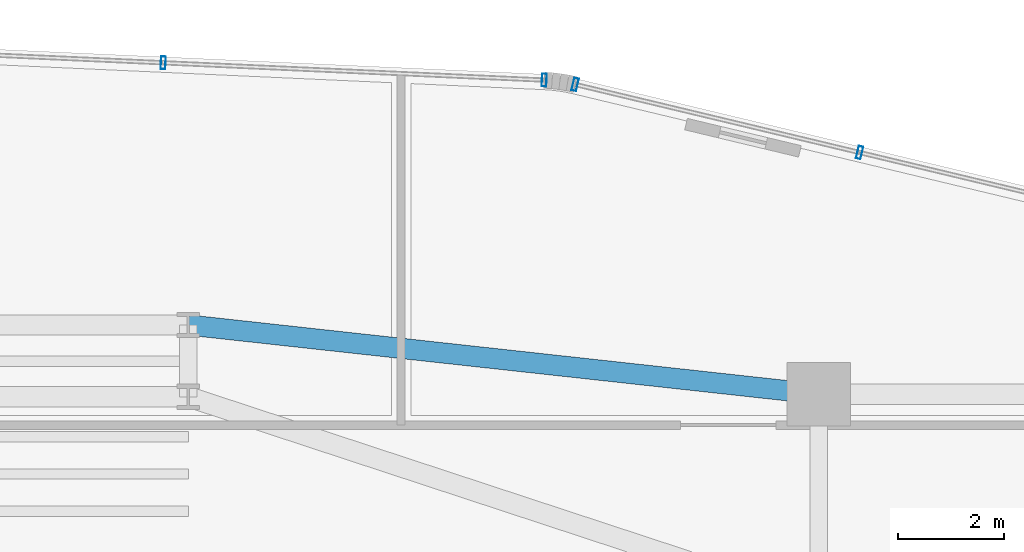
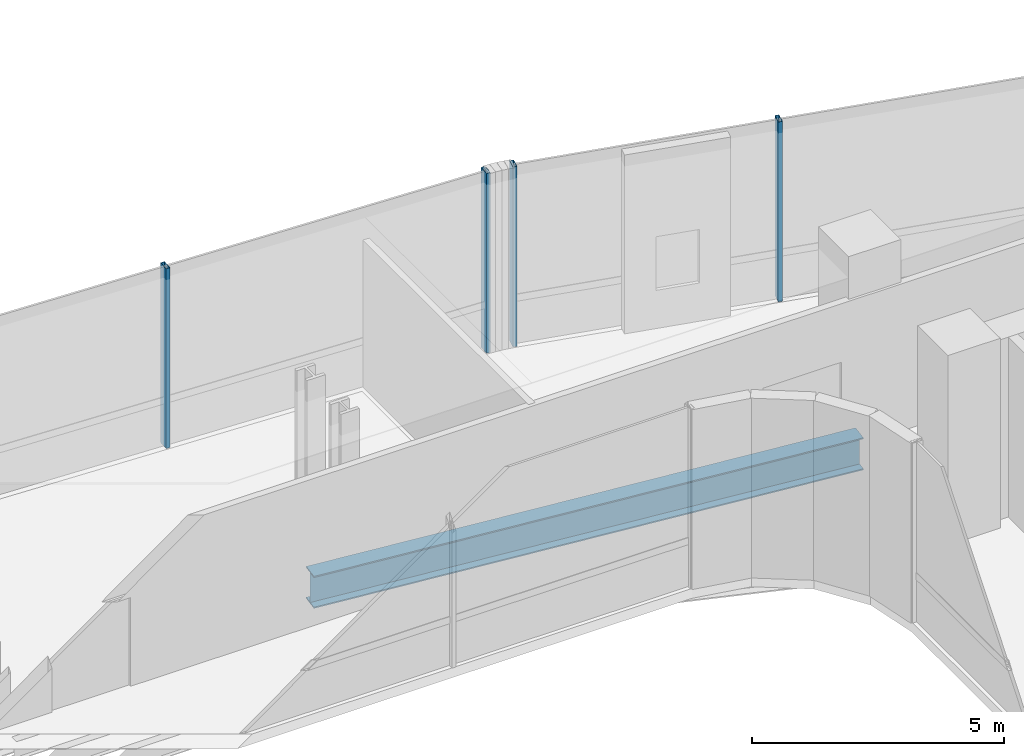
# One storey, part 21 of 32: 4 members, 1 beam, 2 elements without a shape of their own.
"""IFC4 building model written with IfcOpenShell, lengths in metres."""

from ifc_helpers import new_model, si_unit, direction, frame, origin, origin_2d, place, context, subcontext, project, spatial, hollow_rectangle, i_section, extrude, source, transform, mapped, material, material_profile, profile_set, type_object, element, aggregate, save


model = new_model("IFC4")

# Units and contexts
model_context = context("Model", 3, precision=1e-05, world=origin(), true_north=direction((0.0, 1.0)))
body_context = subcontext(model_context, "Body", "Model", "MODEL_VIEW")
ifc_project = project(units=[si_unit("LENGTHUNIT", "METRE"), si_unit("AREAUNIT", "SQUARE_METRE"), si_unit("VOLUMEUNIT", "CUBIC_METRE"), si_unit("PLANEANGLEUNIT", "RADIAN"), si_unit("MASSUNIT", "GRAM", prefix="KILO")], contexts=[model_context])

# Site, building, storey
site_placement = place(None, origin())
site = spatial("IfcSite", under=ifc_project, at=site_placement, CompositionType="ELEMENT")
building_placement = place(site_placement, origin())
building = spatial("IfcBuilding", under=site, at=building_placement, Name="Valdorenza Pilgrim Sanctuary Tower", CompositionType="ELEMENT")
storey_placement = place(building_placement, frame((0.0, 0.0, 101.10009765625)))
storey = spatial("IfcBuildingStorey", under=building, at=storey_placement, Name="L25", CompositionType="ELEMENT", Elevation=101.10009765625)

# Beam
ifc_material_1 = material(Name="Steel ASTM A992 Grade 50", Category="steel")
ifc_material_profile_1 = material_profile(ifc_material_1, i_section(OverallWidth=0.382080078125, OverallDepth=0.779052734375, WebThickness=0.01806640625, FlangeThickness=0.030029296875, at=origin_2d()), Name="W30X191")
ifc_profile_set_1 = profile_set([ifc_material_profile_1], Name="Steel ASTM A992 Grade 50")
beam_type = type_object("IfcBeamType", Name="STR-BM-GRD-W30", PredefinedType="BEAM", material=ifc_profile_set_1)
shared_shape_1 = source(origin(), body_context, "Body", "SweptSolid", [
    extrude(i_section(OverallWidth=0.382080078125, OverallDepth=0.779052734375, WebThickness=0.01806640625, FlangeThickness=0.030029296875, at=origin_2d()), origin(), (0.0, 0.0, 1.0), 11.921142578125),
])
beam_placement = place(storey_placement, frame((4.0, 14.800048828125, -0.629638671875), z_axis=(0.994035876607, -0.10905354656, 0.0), x_axis=(0.10905354656, 0.994035876607, 0.0)))
element("IfcBeam", 1, at=beam_placement, inside=storey, type_object=beam_type, Name="L25 Floor Girder KNK-G6", PredefinedType="BEAM", context=body_context, shape_type="MappedRepresentation", body=[
    mapped(shared_shape_1, transform((0.0, 0.0, 0.0), x_axis=(1.0, 0.0, 0.0), y_axis=(0.0, 1.0, 0.0), z_axis=(0.0, 0.0, 1.0), scale=1.0)),
])

# Curtain wall, members
ifc_material_2 = material(Name="Curtain-wall IGU glazing", Category="glass")
curtain_wall_type = type_object("IfcCurtainWallType", Name="CW-SYS-04", PredefinedType="NOTDEFINED", material=ifc_material_2)
curtain_wall_1_placement = place(storey_placement, origin())
curtain_wall_1 = element("IfcCurtainWall", 2, at=curtain_wall_1_placement, inside=storey, type_object=curtain_wall_type, Name="L25 Curtain Wall CW-L25-1-11", PredefinedType="NOTDEFINED")
ifc_material_3 = material(Name="Anodised aluminium AW-6060", Category="aluminium")
ifc_material_profile_2 = material_profile(ifc_material_3, hollow_rectangle(XDim=0.090087890625, YDim=0.239990234375, WallThickness=0.0048828125, at=origin_2d()), Name="ALU-M 240x90x5")
ifc_profile_set_2 = profile_set([ifc_material_profile_2], Name="Anodised aluminium AW-6060")
member_type = type_object("IfcMemberType", Name="CW-MUL-04", PredefinedType="MULLION", material=ifc_profile_set_2)
shared_shape_2 = source(origin(), body_context, "Body", "SweptSolid", [
    extrude(hollow_rectangle(XDim=0.090087890625, YDim=0.239990234375, WallThickness=0.0048828125, at=origin_2d()), origin(), (0.0, 0.0, 1.0), 4.35986328125),
])
member_1_placement = place(storey_placement, frame((3.528076171875, 19.7294921875, 0.0), z_axis=(0.0, 0.0, 1.0), x_axis=(0.998968193221, -0.045415294044, 0.0)))
member_1 = element("IfcMember", 3, at=member_1_placement, type_object=member_type, Name="CW-L25-1-11 Mullion 3", PredefinedType="MULLION", context=body_context, shape_type="MappedRepresentation", body=[
    mapped(shared_shape_2, transform((0.0, 0.0, 0.0), x_axis=(1.0, 0.0, 0.0), y_axis=(0.0, 1.0, 0.0), z_axis=(0.0, 0.0, 1.0), scale=1.0)),
])
member_2_placement = place(storey_placement, frame((10.68994140625, 19.404052734375, 0.0), z_axis=(0.0, 0.0, 1.0), x_axis=(0.998968193221, -0.045415294044, 0.0)))
member_2 = element("IfcMember", 4, at=member_2_placement, type_object=member_type, Name="CW-L25-1-11 Mullion 4", PredefinedType="MULLION", context=body_context, shape_type="MappedRepresentation", body=[
    mapped(shared_shape_2, transform((0.0, 0.0, 0.0), x_axis=(1.0, 0.0, 0.0), y_axis=(0.0, 1.0, 0.0), z_axis=(0.0, 0.0, 1.0), scale=1.0)),
])
aggregate(curtain_wall_1, [member_1, member_2])

curtain_wall_2_placement = place(storey_placement, origin())
curtain_wall_2 = element("IfcCurtainWall", 5, at=curtain_wall_2_placement, inside=storey, type_object=curtain_wall_type, Name="L25 Curtain Wall CW-L25-1-16", PredefinedType="NOTDEFINED")
member_3_placement = place(storey_placement, frame((11.271484375, 19.322021484375, 0.0), z_axis=(0.0, 0.0, 1.0), x_axis=(0.972528596343, -0.232783438617, 0.0)))
member_3 = element("IfcMember", 6, at=member_3_placement, type_object=member_type, Name="CW-L25-1-16 Mullion 1", PredefinedType="MULLION", context=body_context, shape_type="MappedRepresentation", body=[
    mapped(shared_shape_2, transform((0.0, 0.0, 0.0), x_axis=(1.0, 0.0, 0.0), y_axis=(0.0, 1.0, 0.0), z_axis=(0.0, 0.0, 1.0), scale=1.0)),
])
member_4_placement = place(storey_placement, frame((16.617919921875, 18.042236328125, 0.0), z_axis=(0.0, 0.0, 1.0), x_axis=(0.972528596343, -0.232783438617, 0.0)))
member_4 = element("IfcMember", 7, at=member_4_placement, type_object=member_type, Name="CW-L25-1-16 Mullion 2", PredefinedType="MULLION", context=body_context, shape_type="MappedRepresentation", body=[
    mapped(shared_shape_2, transform((0.0, 0.0, 0.0), x_axis=(1.0, 0.0, 0.0), y_axis=(0.0, 1.0, 0.0), z_axis=(0.0, 0.0, 1.0), scale=1.0)),
])
aggregate(curtain_wall_2, [member_3, member_4])

save(model, "model.ifc")
